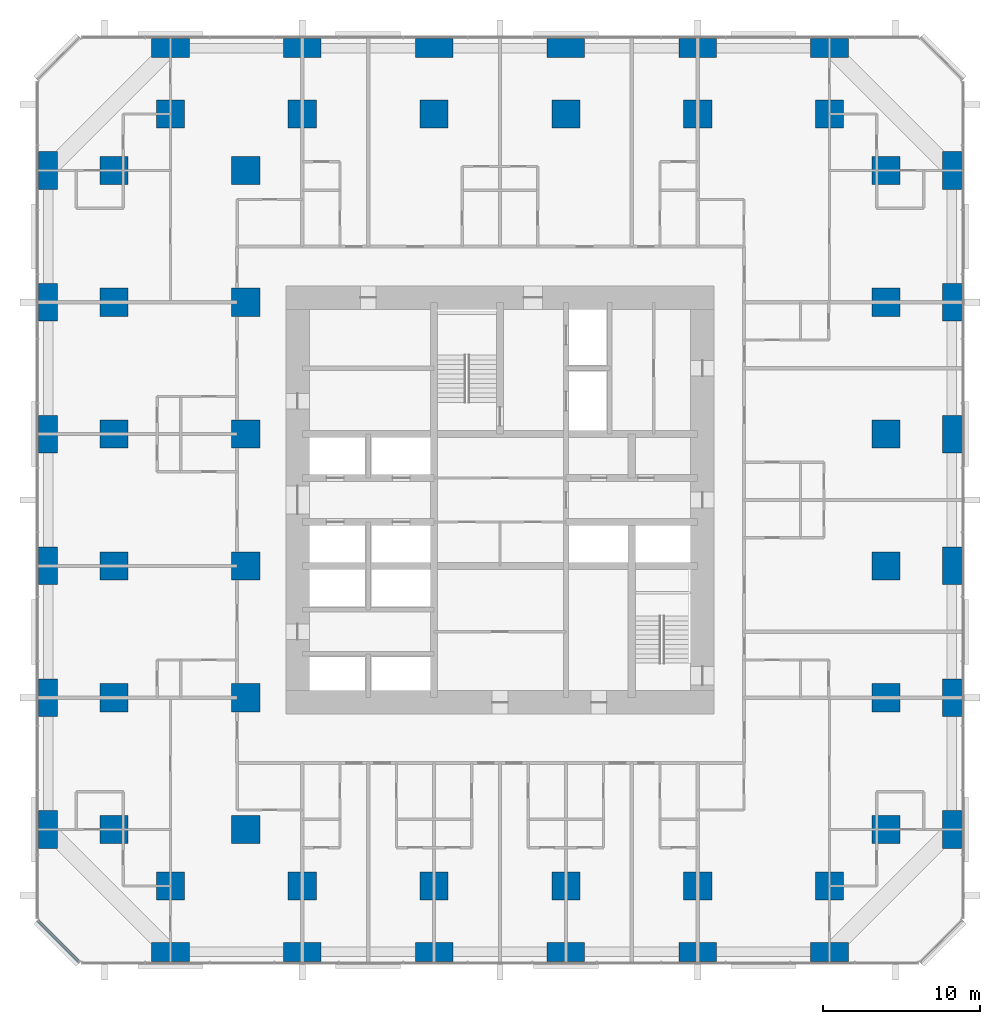
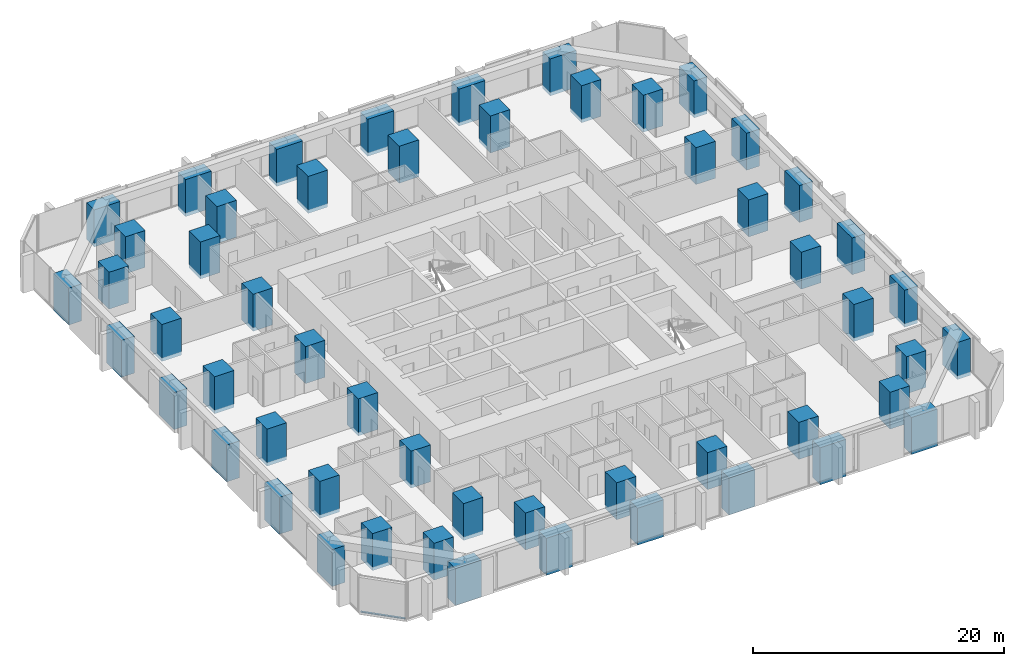
# One storey, part 1 of 17: 54 columns, 1 member, 1 element without a shape of its own.
"""IFC4 building model written with IfcOpenShell, lengths in metres."""

from ifc_helpers import new_model, si_unit, direction, frame, origin, origin_2d, place, context, subcontext, project, spatial, rectangle, extrude, material, material_profile, profile_set, type_object, element, aggregate, save


model = new_model("IFC4")

# Units and contexts
model_context = context("Model", 3, precision=1e-05, world=origin(), true_north=direction((0.0, 1.0)))
body_context = subcontext(model_context, "Body", "Model", "MODEL_VIEW")
ifc_project = project(units=[si_unit("LENGTHUNIT", "METRE"), si_unit("AREAUNIT", "SQUARE_METRE"), si_unit("VOLUMEUNIT", "CUBIC_METRE"), si_unit("PLANEANGLEUNIT", "RADIAN"), si_unit("MASSUNIT", "GRAM", prefix="KILO")], contexts=[model_context])

# Site, building, storey
site_placement = place(None, origin())
site = spatial("IfcSite", under=ifc_project, at=site_placement, CompositionType="ELEMENT")
building_placement = place(site_placement, origin())
building = spatial("IfcBuilding", under=site, at=building_placement, Name="Dunama Terrace Hotel", CompositionType="ELEMENT")
storey_placement = place(building_placement, frame((0.0, 0.0, 77.39990234375)))
storey = spatial("IfcBuildingStorey", under=building, at=storey_placement, Name="L19", CompositionType="ELEMENT", Elevation=77.39990234375)

# Columns
ifc_material_1 = material(Name="Concrete C60/75", Category="concrete")
ifc_material_profile_1 = material_profile(ifc_material_1, rectangle(XDim=1.199951171875, YDim=2.39990234375, at=origin_2d()), Name="RC 1200x2400")
ifc_profile_set_1 = profile_set([ifc_material_profile_1], Name="Concrete C60/75")
column_type_1 = type_object("IfcColumnType", Name="Column RC 1200x2400", PredefinedType="COLUMN", material=ifc_profile_set_1)
for number, where, z_axis, x_axis, name in (
    (1, (0.60009765625, 8.39990234375, -0.349853515625), (0.0, 0.0, 1.0), (1.0, 0.0, 0.0), "Column L19 +0.6/+8.4"),
    (2, (0.60009765625, 16.800048828125, -0.349853515625), (0.0, 0.0, 1.0), (1.0, 0.0, 0.0), "Column L19 +0.6/+16.8"),
    (3, (0.60009765625, 25.199951171875, -0.349853515625), (0.0, 0.0, 1.0), (1.0, 0.0, 0.0), "Column L19 +0.6/+25.2"),
    (4, (0.60009765625, 33.60009765625, -0.349853515625), (0.0, 0.0, 1.0), (1.0, 0.0, 0.0), "Column L19 +0.6/+33.6"),
    (5, (0.60009765625, 42.0, -0.349853515625), (0.0, 0.0, 1.0), (1.0, 0.0, 0.0), "Column L19 +0.6/+42.0"),
    (6, (0.60009765625, 50.39990234375, -0.349853515625), (0.0, 0.0, 1.0), (1.0, 0.0, 0.0), "Column L19 +0.6/+50.4"),
    (7, (58.199951171875, 8.39990234375, -0.349853515625), (0.0, 0.0, 1.0), (1.0, 0.0, 0.0), "Column L19 +58.2/+8.4"),
    (8, (58.199951171875, 16.800048828125, -0.349853515625), (0.0, 0.0, 1.0), (1.0, 0.0, 0.0), "Column L19 +58.2/+16.8"),
    (9, (58.199951171875, 25.199951171875, -0.349853515625), (0.0, 0.0, 1.0), (1.0, 0.0, 0.0), "Column L19 +58.2/+25.2"),
    (10, (58.199951171875, 33.60009765625, -0.349853515625), (0.0, 0.0, 1.0), (1.0, 0.0, 0.0), "Column L19 +58.2/+33.6"),
    (11, (58.199951171875, 42.0, -0.349853515625), (0.0, 0.0, 1.0), (1.0, 0.0, 0.0), "Column L19 +58.2/+42.0"),
    (12, (58.199951171875, 50.39990234375, -0.349853515625), (0.0, 0.0, 1.0), (1.0, 0.0, 0.0), "Column L19 +58.2/+50.4"),
):
    element("IfcColumn", number, at=place(storey_placement, frame(where, z_axis=z_axis, x_axis=x_axis)), inside=storey, type_object=column_type_1, Name=name, PredefinedType="COLUMN", context=body_context, shape_type="SweptSolid", body=[
        extrude(rectangle(XDim=1.199951171875, YDim=2.39990234375, at=origin_2d()), origin(), (0.0, 0.0, 1.0), 3.599853515625),
    ])
ifc_material_2 = material(Name="Concrete C60/75", Category="concrete")
ifc_material_profile_2 = material_profile(ifc_material_2, rectangle(XDim=1.800048828125, YDim=1.800048828125, at=origin_2d()), Name="RC 1800x1800")
ifc_profile_set_2 = profile_set([ifc_material_profile_2], Name="Concrete C60/75")
column_type_2 = type_object("IfcColumnType", Name="Column RC 1800x1800", PredefinedType="COLUMN", material=ifc_profile_set_2)
for number, where, z_axis, x_axis, name in (
    (13, (4.800048828125, 8.39990234375, -0.349853515625), (0.0, 0.0, 1.0), (1.0, 0.0, 0.0), "Column L19 +4.8/+8.4"),
    (14, (4.800048828125, 16.800048828125, -0.349853515625), (0.0, 0.0, 1.0), (1.0, 0.0, 0.0), "Column L19 +4.8/+16.8"),
    (15, (4.800048828125, 25.199951171875, -0.349853515625), (0.0, 0.0, 1.0), (1.0, 0.0, 0.0), "Column L19 +4.8/+25.2"),
    (16, (4.800048828125, 33.60009765625, -0.349853515625), (0.0, 0.0, 1.0), (1.0, 0.0, 0.0), "Column L19 +4.8/+33.6"),
    (17, (4.800048828125, 42.0, -0.349853515625), (0.0, 0.0, 1.0), (1.0, 0.0, 0.0), "Column L19 +4.8/+42.0"),
    (18, (4.800048828125, 50.39990234375, -0.349853515625), (0.0, 0.0, 1.0), (1.0, 0.0, 0.0), "Column L19 +4.8/+50.4"),
    (19, (8.39990234375, 4.800048828125, -0.349853515625), (0.0, 0.0, 1.0), (1.0, 0.0, 0.0), "Column L19 +8.4/+4.8"),
    (20, (8.39990234375, 54.0, -0.349853515625), (0.0, 0.0, 1.0), (1.0, 0.0, 0.0), "Column L19 +8.4/+54.0"),
    (21, (13.199951171875, 8.39990234375, -0.349853515625), (0.0, 0.0, 1.0), (1.0, 0.0, 0.0), "Column L19 +13.2/+8.4"),
    (22, (13.199951171875, 16.800048828125, -0.349853515625), (0.0, 0.0, 1.0), (1.0, 0.0, 0.0), "Column L19 +13.2/+16.8"),
    (23, (13.199951171875, 25.199951171875, -0.349853515625), (0.0, 0.0, 1.0), (1.0, 0.0, 0.0), "Column L19 +13.2/+25.2"),
    (24, (13.199951171875, 33.60009765625, -0.349853515625), (0.0, 0.0, 1.0), (1.0, 0.0, 0.0), "Column L19 +13.2/+33.6"),
    (25, (13.199951171875, 42.0, -0.349853515625), (0.0, 0.0, 1.0), (1.0, 0.0, 0.0), "Column L19 +13.2/+42.0"),
    (26, (13.199951171875, 50.39990234375, -0.349853515625), (0.0, 0.0, 1.0), (1.0, 0.0, 0.0), "Column L19 +13.2/+50.4"),
    (27, (16.800048828125, 4.800048828125, -0.349853515625), (0.0, 0.0, 1.0), (1.0, 0.0, 0.0), "Column L19 +16.8/+4.8"),
    (28, (16.800048828125, 54.0, -0.349853515625), (0.0, 0.0, 1.0), (1.0, 0.0, 0.0), "Column L19 +16.8/+54.0"),
    (29, (25.199951171875, 4.800048828125, -0.349853515625), (0.0, 0.0, 1.0), (1.0, 0.0, 0.0), "Column L19 +25.2/+4.8"),
    (30, (25.199951171875, 54.0, -0.349853515625), (0.0, 0.0, 1.0), (1.0, 0.0, 0.0), "Column L19 +25.2/+54.0"),
    (31, (33.60009765625, 4.800048828125, -0.349853515625), (0.0, 0.0, 1.0), (1.0, 0.0, 0.0), "Column L19 +33.6/+4.8"),
    (32, (33.60009765625, 54.0, -0.349853515625), (0.0, 0.0, 1.0), (1.0, 0.0, 0.0), "Column L19 +33.6/+54.0"),
    (33, (42.0, 4.800048828125, -0.349853515625), (0.0, 0.0, 1.0), (1.0, 0.0, 0.0), "Column L19 +42.0/+4.8"),
    (34, (42.0, 54.0, -0.349853515625), (0.0, 0.0, 1.0), (1.0, 0.0, 0.0), "Column L19 +42.0/+54.0"),
    (35, (50.39990234375, 4.800048828125, -0.349853515625), (0.0, 0.0, 1.0), (1.0, 0.0, 0.0), "Column L19 +50.4/+4.8"),
    (36, (50.39990234375, 54.0, -0.349853515625), (0.0, 0.0, 1.0), (1.0, 0.0, 0.0), "Column L19 +50.4/+54.0"),
    (37, (54.0, 8.39990234375, -0.349853515625), (0.0, 0.0, 1.0), (1.0, 0.0, 0.0), "Column L19 +54.0/+8.4"),
    (38, (54.0, 16.800048828125, -0.349853515625), (0.0, 0.0, 1.0), (1.0, 0.0, 0.0), "Column L19 +54.0/+16.8"),
    (39, (54.0, 25.199951171875, -0.349853515625), (0.0, 0.0, 1.0), (1.0, 0.0, 0.0), "Column L19 +54.0/+25.2"),
    (40, (54.0, 33.60009765625, -0.349853515625), (0.0, 0.0, 1.0), (1.0, 0.0, 0.0), "Column L19 +54.0/+33.6"),
    (41, (54.0, 42.0, -0.349853515625), (0.0, 0.0, 1.0), (1.0, 0.0, 0.0), "Column L19 +54.0/+42.0"),
    (42, (54.0, 50.39990234375, -0.349853515625), (0.0, 0.0, 1.0), (1.0, 0.0, 0.0), "Column L19 +54.0/+50.4"),
):
    element("IfcColumn", number, at=place(storey_placement, frame(where, z_axis=z_axis, x_axis=x_axis)), inside=storey, type_object=column_type_2, Name=name, PredefinedType="COLUMN", context=body_context, shape_type="SweptSolid", body=[
        extrude(rectangle(XDim=1.800048828125, YDim=1.800048828125, at=origin_2d()), origin(), (0.0, 0.0, 1.0), 3.599853515625),
    ])
ifc_material_3 = material(Name="Concrete C60/75", Category="concrete")
ifc_material_profile_3 = material_profile(ifc_material_3, rectangle(XDim=2.39990234375, YDim=1.199951171875, at=origin_2d()), Name="RC 2400x1200")
ifc_profile_set_3 = profile_set([ifc_material_profile_3], Name="Concrete C60/75")
column_type_3 = type_object("IfcColumnType", Name="Column RC 2400x1200", PredefinedType="COLUMN", material=ifc_profile_set_3)
for number, where, z_axis, x_axis, name in (
    (43, (8.39990234375, 0.60009765625, -0.349853515625), (0.0, 0.0, 1.0), (1.0, 0.0, 0.0), "Column L19 +8.4/+0.6"),
    (44, (8.39990234375, 58.199951171875, -0.349853515625), (0.0, 0.0, 1.0), (1.0, 0.0, 0.0), "Column L19 +8.4/+58.2"),
    (45, (16.800048828125, 0.60009765625, -0.349853515625), (0.0, 0.0, 1.0), (1.0, 0.0, 0.0), "Column L19 +16.8/+0.6"),
    (46, (16.800048828125, 58.199951171875, -0.349853515625), (0.0, 0.0, 1.0), (1.0, 0.0, 0.0), "Column L19 +16.8/+58.2"),
    (47, (25.199951171875, 0.60009765625, -0.349853515625), (0.0, 0.0, 1.0), (1.0, 0.0, 0.0), "Column L19 +25.2/+0.6"),
    (48, (25.199951171875, 58.199951171875, -0.349853515625), (0.0, 0.0, 1.0), (1.0, 0.0, 0.0), "Column L19 +25.2/+58.2"),
    (49, (33.60009765625, 0.60009765625, -0.349853515625), (0.0, 0.0, 1.0), (1.0, 0.0, 0.0), "Column L19 +33.6/+0.6"),
    (50, (33.60009765625, 58.199951171875, -0.349853515625), (0.0, 0.0, 1.0), (1.0, 0.0, 0.0), "Column L19 +33.6/+58.2"),
    (51, (42.0, 0.60009765625, -0.349853515625), (0.0, 0.0, 1.0), (1.0, 0.0, 0.0), "Column L19 +42.0/+0.6"),
    (52, (42.0, 58.199951171875, -0.349853515625), (0.0, 0.0, 1.0), (1.0, 0.0, 0.0), "Column L19 +42.0/+58.2"),
    (53, (50.39990234375, 0.60009765625, -0.349853515625), (0.0, 0.0, 1.0), (1.0, 0.0, 0.0), "Column L19 +50.4/+0.6"),
    (54, (50.39990234375, 58.199951171875, -0.349853515625), (0.0, 0.0, 1.0), (1.0, 0.0, 0.0), "Column L19 +50.4/+58.2"),
):
    element("IfcColumn", number, at=place(storey_placement, frame(where, z_axis=z_axis, x_axis=x_axis)), inside=storey, type_object=column_type_3, Name=name, PredefinedType="COLUMN", context=body_context, shape_type="SweptSolid", body=[
        extrude(rectangle(XDim=2.39990234375, YDim=1.199951171875, at=origin_2d()), origin(), (0.0, 0.0, 1.0), 3.599853515625),
    ])

# Curtain wall, member
ifc_material_4 = material(Name="Aluminium curtain wall system", Category="aluminium")
curtain_wall_type = type_object("IfcCurtainWallType", Name="Unitised fritted glass wall CW-A", PredefinedType="NOTDEFINED", material=ifc_material_4)
curtain_wall_placement = place(storey_placement, origin())
curtain_wall = element("IfcCurtainWall", 55, at=curtain_wall_placement, inside=storey, type_object=curtain_wall_type, Name="Unitised fritted glass wall CW-A L19", PredefinedType="NOTDEFINED")
ifc_material_5 = material(Name="Aluminium transom", Category="aluminium")
ifc_material_profile_4 = material_profile(ifc_material_5, rectangle(XDim=0.179931640625, YDim=0.074951171875, at=origin_2d()), Name="CWA TRANSOM 180X75")
ifc_profile_set_4 = profile_set([ifc_material_profile_4], Name="Aluminium transom")
member_type = type_object("IfcMemberType", Name="CWA transom 180x75", PredefinedType="USERDEFINED", material=ifc_profile_set_4)
member_placement = place(storey_placement, frame((-0.02490234375, 2.5830078125, 0.03759765625), z_axis=(0.707106781187, -0.707106781187, 0.0), x_axis=(0.707106781187, 0.707106781187, 0.0)))
member = element("IfcMember", 56, at=member_placement, type_object=member_type, Name="CWA transom", ObjectType="TRANSOM", PredefinedType="USERDEFINED", context=body_context, shape_type="SweptSolid", body=[
    extrude(rectangle(XDim=0.179931640625, YDim=0.074951171875, at=origin_2d()), origin(), (0.0, 0.0, 1.0), 3.688232421875),
])
aggregate(curtain_wall, [member])

save(model, "model.ifc")
